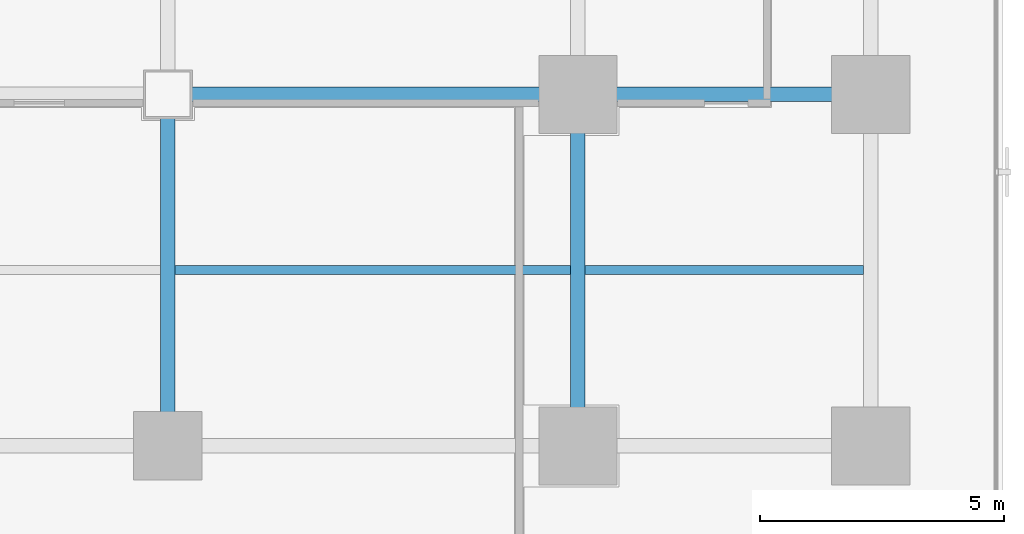
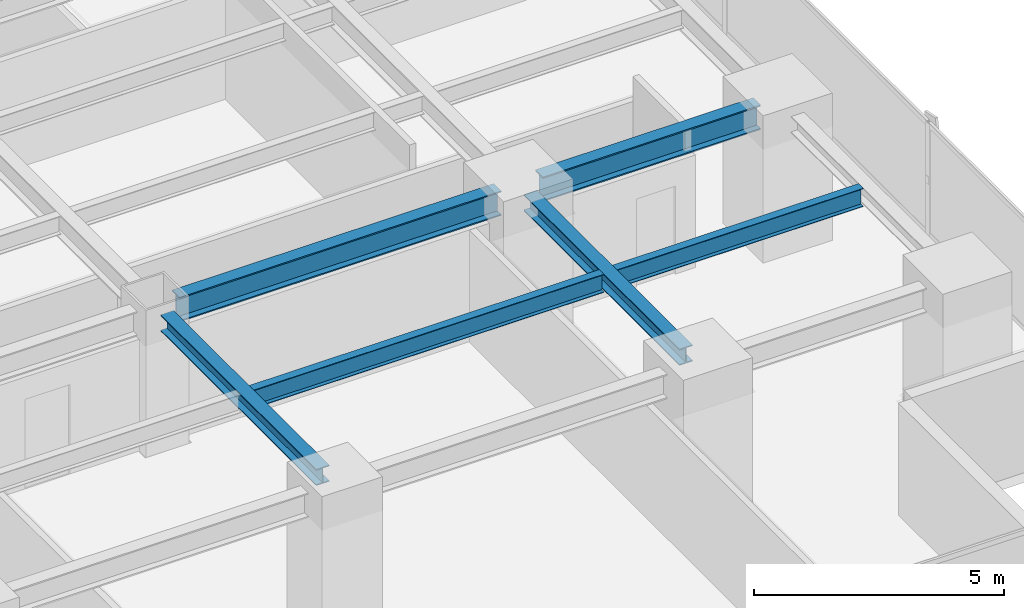
# One storey, part 13 of 36: 6 beams.
"""IFC4 building model written with IfcOpenShell, lengths in metres."""

from ifc_helpers import new_model, si_unit, direction, frame, origin, origin_2d, place, context, subcontext, project, spatial, i_section, extrude, source, transform, mapped, material, material_profile, profile_set, type_object, element, save


model = new_model("IFC4")

# Units and contexts
model_context = context("Model", 3, precision=1e-05, world=origin(), true_north=direction((0.0, 1.0)))
body_context = subcontext(model_context, "Body", "Model", "MODEL_VIEW")
ifc_project = project(units=[si_unit("LENGTHUNIT", "METRE"), si_unit("AREAUNIT", "SQUARE_METRE"), si_unit("VOLUMEUNIT", "CUBIC_METRE"), si_unit("PLANEANGLEUNIT", "RADIAN"), si_unit("MASSUNIT", "GRAM", prefix="KILO")], contexts=[model_context])

# Site, building, storey
site_placement = place(None, origin())
site = spatial("IfcSite", under=ifc_project, at=site_placement, CompositionType="ELEMENT")
building_placement = place(site_placement, origin())
building = spatial("IfcBuilding", under=site, at=building_placement, Name="Sumidabori Civic Tower", CompositionType="ELEMENT")
storey_placement = place(building_placement, frame((0.0, 0.0, 92.0)))
storey = spatial("IfcBuildingStorey", under=building, at=storey_placement, Name="L23", CompositionType="ELEMENT", Elevation=92.0)

# Beams
ifc_material = material(Name="Steel SN490", Category="steel")
ifc_material_profile_1 = material_profile(ifc_material, i_section(OverallWidth=0.300048828125, OverallDepth=0.60009765625, WebThickness=0.015380859375, FlangeThickness=0.030029296875, at=origin_2d()), Name="HE 600 B")
ifc_profile_set_1 = profile_set([ifc_material_profile_1], Name="Steel SN490")
beam_type_1 = type_object("IfcBeamType", Name="BM-GIRD-600", PredefinedType="BEAM", material=ifc_profile_set_1)
shared_shape_1 = source(origin(), body_context, "Body", "SweptSolid", [
    extrude(i_section(OverallWidth=0.300048828125, OverallDepth=0.60009765625, WebThickness=0.015380859375, FlangeThickness=0.030029296875, at=origin_2d()), origin(), (0.0, 0.0, 1.0), 5.0400390625),
])
beam_1_placement = place(storey_placement, frame((17.280029296875, -10.800048828125, 3.06005859375), z_axis=(1.0, 0.0, 0.0), x_axis=(0.0, 1.0, 0.0)))
element("IfcBeam", 1, at=beam_1_placement, inside=storey, type_object=beam_type_1, Name="Primary Girder L23 GX-12", PredefinedType="BEAM", context=body_context, shape_type="MappedRepresentation", body=[
    mapped(shared_shape_1, transform((0.0, 0.0, 0.0), x_axis=(1.0, 0.0, 0.0), y_axis=(0.0, 1.0, 0.0), z_axis=(0.0, 0.0, 1.0), scale=1.0)),
])
shared_shape_2 = source(origin(), body_context, "Body", "SweptSolid", [
    extrude(i_section(OverallWidth=0.300048828125, OverallDepth=0.60009765625, WebThickness=0.015380859375, FlangeThickness=0.030029296875, at=origin_2d()), origin(), (0.0, 0.0, 1.0), 7.440185546875),
])
beam_2_placement = place(storey_placement, frame((8.8798828125, -10.800048828125, 3.06005859375), z_axis=(1.0, 0.0, 0.0), x_axis=(0.0, 1.0, 0.0)))
element("IfcBeam", 2, at=beam_2_placement, inside=storey, type_object=beam_type_1, Name="Primary Girder L23 GX-11", PredefinedType="BEAM", context=body_context, shape_type="MappedRepresentation", body=[
    mapped(shared_shape_2, transform((0.0, 0.0, 0.0), x_axis=(1.0, 0.0, 0.0), y_axis=(0.0, 1.0, 0.0), z_axis=(0.0, 0.0, 1.0), scale=1.0)),
])
ifc_material_profile_2 = material_profile(ifc_material, i_section(OverallWidth=0.300048828125, OverallDepth=0.39990234375, WebThickness=0.013427734375, FlangeThickness=0.02392578125, at=origin_2d()), Name="HE 400 B")
ifc_profile_set_2 = profile_set([ifc_material_profile_2], Name="Steel SN490")
beam_type_2 = type_object("IfcBeamType", Name="BM-GIRD-400", PredefinedType="BEAM", material=ifc_profile_set_2)
shared_shape_3 = source(origin(), body_context, "Body", "SweptSolid", [
    extrude(i_section(OverallWidth=0.300048828125, OverallDepth=0.39990234375, WebThickness=0.013427734375, FlangeThickness=0.02392578125, at=origin_2d()), origin(), (0.0, 0.0, 1.0), 6.239990234375),
])
for number, where, z_axis, x_axis, name in (
    (3, (8.39990234375, -17.52001953125, 3.159912109375), (0.0, 1.0, 0.0), (-1.0, 0.0, 0.0), "Primary Girder L23 GY-33"),
    (4, (16.800048828125, -17.52001953125, 3.159912109375), (0.0, 1.0, 0.0), (-1.0, 0.0, 0.0), "Primary Girder L23 GY-35"),
):
    element("IfcBeam", number, at=place(storey_placement, frame(where, z_axis=z_axis, x_axis=x_axis)), inside=storey, type_object=beam_type_2, Name=name, PredefinedType="BEAM", context=body_context, shape_type="MappedRepresentation", body=[
        mapped(shared_shape_3, transform((0.0, 0.0, 0.0), x_axis=(1.0, 0.0, 0.0), y_axis=(0.0, 1.0, 0.0), z_axis=(0.0, 0.0, 1.0), scale=1.0)),
    ])
ifc_material_profile_3 = material_profile(ifc_material, i_section(OverallWidth=0.18994140625, OverallDepth=0.449951171875, WebThickness=0.009521484375, FlangeThickness=0.0146484375, at=origin_2d()), Name="IPE 450")
ifc_profile_set_3 = profile_set([ifc_material_profile_3], Name="Steel SN490")
beam_type_3 = type_object("IfcBeamType", Name="BM-JST-450", PredefinedType="JOIST", material=ifc_profile_set_3)
shared_shape_4 = source(origin(), body_context, "Body", "SweptSolid", [
    extrude(i_section(OverallWidth=0.18994140625, OverallDepth=0.449951171875, WebThickness=0.009521484375, FlangeThickness=0.0146484375, at=origin_2d()), origin(), (0.0, 0.0, 1.0), 5.699951171875),
])
beam_3_placement = place(storey_placement, frame((16.949951171875, -14.39990234375, 3.135009765625), z_axis=(1.0, 0.0, 0.0), x_axis=(0.0, 1.0, 0.0)))
element("IfcBeam", 5, at=beam_3_placement, inside=storey, type_object=beam_type_3, Name="Outer Bay Floor Joist L23 JSTO-52", PredefinedType="JOIST", context=body_context, shape_type="MappedRepresentation", body=[
    mapped(shared_shape_4, transform((0.0, 0.0, 0.0), x_axis=(1.0, 0.0, 0.0), y_axis=(0.0, 1.0, 0.0), z_axis=(0.0, 0.0, 1.0), scale=1.0)),
])
shared_shape_5 = source(origin(), body_context, "Body", "SweptSolid", [
    extrude(i_section(OverallWidth=0.18994140625, OverallDepth=0.449951171875, WebThickness=0.009521484375, FlangeThickness=0.0146484375, at=origin_2d()), origin(), (0.0, 0.0, 1.0), 8.099853515625),
])
beam_4_placement = place(storey_placement, frame((8.550048828125, -14.39990234375, 3.135009765625), z_axis=(1.0, 0.0, 0.0), x_axis=(0.0, 1.0, 0.0)))
element("IfcBeam", 6, at=beam_4_placement, inside=storey, type_object=beam_type_3, Name="South Bay Floor Joist L23 JSTS-58", PredefinedType="JOIST", context=body_context, shape_type="MappedRepresentation", body=[
    mapped(shared_shape_5, transform((0.0, 0.0, 0.0), x_axis=(1.0, 0.0, 0.0), y_axis=(0.0, 1.0, 0.0), z_axis=(0.0, 0.0, 1.0), scale=1.0)),
])

save(model, "model.ifc")
